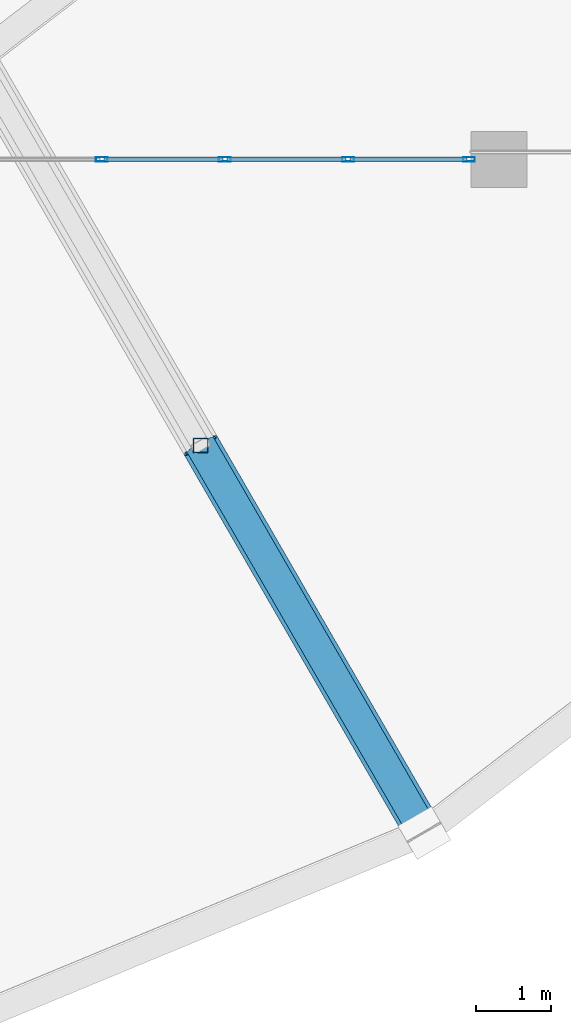
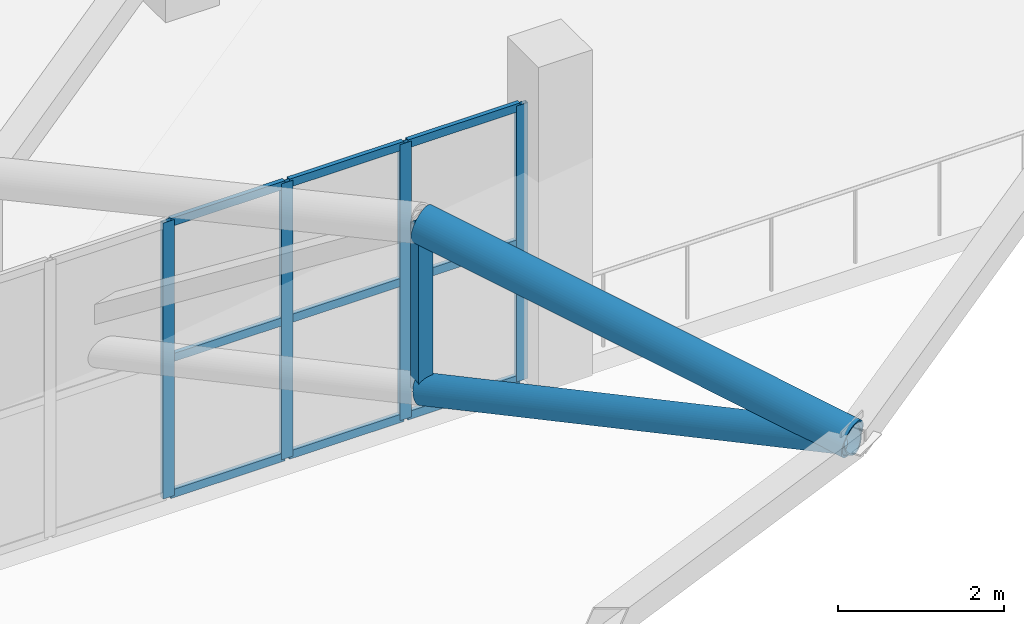
# One storey, part 34 of 167: 16 members, 1 element without a shape of its own.
"""IFC4 building model written with IfcOpenShell, lengths in metres."""

from ifc_helpers import new_model, si_unit, direction, frame, origin, origin_2d, place, context, subcontext, project, spatial, hollow_rectangle, hollow_circle, extrude, material, layer, layer_set, material_profile, profile_set, type_object, element, aggregate, save


model = new_model("IFC4")

# Units and contexts
model_context = context("Model", 3, precision=1e-05, world=origin(), true_north=direction((0.0, 1.0)))
body_context = subcontext(model_context, "Body", "Model", "MODEL_VIEW")
ifc_project = project(units=[si_unit("LENGTHUNIT", "METRE"), si_unit("AREAUNIT", "SQUARE_METRE"), si_unit("VOLUMEUNIT", "CUBIC_METRE"), si_unit("PLANEANGLEUNIT", "RADIAN"), si_unit("MASSUNIT", "GRAM", prefix="KILO")], contexts=[model_context])

# Site, building, storey
site_placement = place(None, origin())
site = spatial("IfcSite", under=ifc_project, at=site_placement, CompositionType="ELEMENT")
building_placement = place(site_placement, origin())
building = spatial("IfcBuilding", under=site, at=building_placement, Name="Dornveld Trade and Exhibition Forum", CompositionType="ELEMENT")
storey_placement = place(building_placement, frame((0.0, 0.0, 16.800048828125)))
storey = spatial("IfcBuildingStorey", under=building, at=storey_placement, Name="L03", CompositionType="ELEMENT", Elevation=16.800048828125)

# Curtain wall, members
ifc_material_1 = material(Name="Dark-bronze anodised aluminium and low-E glass", Category="aluminium")
ifc_layer = layer(ifc_material_1, 0.15087890625)
ifc_layer_set = layer_set([ifc_layer], Name="Dark-bronze anodised aluminium and low-E glass")
curtain_wall_type = type_object("IfcCurtainWallType", Name="CW-SYS-03", PredefinedType="USERDEFINED", material=ifc_layer_set)
curtain_wall_placement = place(storey_placement, origin())
curtain_wall = element("IfcCurtainWall", 1, at=curtain_wall_placement, inside=storey, type_object=curtain_wall_type, Name="L03 unitised curtain wall 57", ObjectType="UNITISED_CURTAIN_WALL", PredefinedType="USERDEFINED")
ifc_material_2 = material(Name="Dark-bronze anodised aluminium", Category="aluminium")
ifc_material_profile_1 = material_profile(ifc_material_2, hollow_rectangle(XDim=0.06005859375, YDim=0.159912109375, WallThickness=0.00390625, at=origin_2d()), Name="RHS 160x60x4")
ifc_profile_set_1 = profile_set([ifc_material_profile_1], Name="Dark-bronze anodised aluminium")
member_type_1 = type_object("IfcMemberType", Name="CW-MUL-160", PredefinedType="MULLION", material=ifc_profile_set_1)
member_1_placement = place(storey_placement, frame((138.67431640625, 45.0, -0.004150390625), z_axis=(0.0, 0.0, 1.0), x_axis=(0.0, 1.0, 0.0)))
member_1 = element("IfcMember", 2, at=member_1_placement, type_object=member_type_1, Name="CW-03 mullion 3", PredefinedType="MULLION", context=body_context, shape_type="SweptSolid", body=[
    extrude(hollow_rectangle(XDim=0.06005859375, YDim=0.159912109375, WallThickness=0.00390625, at=origin_2d()), origin(), (0.0, 0.0, 1.0), 4.064208984375),
])
member_2_placement = place(storey_placement, frame((140.32568359375, 45.0, -0.004150390625), z_axis=(0.0, 0.0, 1.0), x_axis=(0.0, 1.0, 0.0)))
member_2 = element("IfcMember", 3, at=member_2_placement, type_object=member_type_1, Name="CW-03 mullion 4", PredefinedType="MULLION", context=body_context, shape_type="SweptSolid", body=[
    extrude(hollow_rectangle(XDim=0.06005859375, YDim=0.159912109375, WallThickness=0.00390625, at=origin_2d()), origin(), (0.0, 0.0, 1.0), 4.064208984375),
])
member_3_placement = place(storey_placement, frame((141.977294921875, 45.0, -0.004150390625), z_axis=(0.0, 0.0, 1.0), x_axis=(0.0, 1.0, 0.0)))
member_3 = element("IfcMember", 4, at=member_3_placement, type_object=member_type_1, Name="CW-03 mullion 5", PredefinedType="MULLION", context=body_context, shape_type="SweptSolid", body=[
    extrude(hollow_rectangle(XDim=0.06005859375, YDim=0.159912109375, WallThickness=0.00390625, at=origin_2d()), origin(), (0.0, 0.0, 1.0), 4.064208984375),
])
member_4_placement = place(storey_placement, frame((143.59912109375, 45.0, -0.004150390625), z_axis=(0.0, 0.0, 1.0), x_axis=(0.0, 1.0, 0.0)))
member_4 = element("IfcMember", 5, at=member_4_placement, type_object=member_type_1, Name="CW-03 mullion 6", PredefinedType="MULLION", context=body_context, shape_type="SweptSolid", body=[
    extrude(hollow_rectangle(XDim=0.06005859375, YDim=0.159912109375, WallThickness=0.00390625, at=origin_2d()), origin(), (0.0, 0.0, 1.0), 4.064208984375),
])
ifc_material_3 = material(Name="Dark-bronze anodised aluminium", Category="aluminium")
ifc_material_profile_2 = material_profile(ifc_material_3, hollow_rectangle(XDim=0.06005859375, YDim=0.1201171875, WallThickness=0.00390625, at=origin_2d()), Name="RHS 120x60x4")
ifc_profile_set_2 = profile_set([ifc_material_profile_2], Name="Dark-bronze anodised aluminium")
member_type_2 = type_object("IfcMemberType", Name="CW-TRN-120", PredefinedType="USERDEFINED", material=ifc_profile_set_2)
member_5_placement = place(storey_placement, frame((138.7041015625, 45.0, 0.02587890625), z_axis=(1.0, 0.0, 0.0), x_axis=(0.0, 1.0, 0.0)))
member_5 = element("IfcMember", 6, at=member_5_placement, type_object=member_type_2, Name="CW-03 transom 3.1", ObjectType="TRANSOM", PredefinedType="USERDEFINED", context=body_context, shape_type="SweptSolid", body=[
    extrude(hollow_rectangle(XDim=0.06005859375, YDim=0.1201171875, WallThickness=0.00390625, at=origin_2d()), origin(), (0.0, 0.0, 1.0), 1.591796875),
])
member_6_placement = place(storey_placement, frame((138.7041015625, 45.0, 2.02783203125), z_axis=(1.0, 0.0, 0.0), x_axis=(0.0, 1.0, 0.0)))
member_6 = element("IfcMember", 7, at=member_6_placement, type_object=member_type_2, Name="CW-03 transom 3.2", ObjectType="TRANSOM", PredefinedType="USERDEFINED", context=body_context, shape_type="SweptSolid", body=[
    extrude(hollow_rectangle(XDim=0.06005859375, YDim=0.1201171875, WallThickness=0.00390625, at=origin_2d()), origin(), (0.0, 0.0, 1.0), 1.591796875),
])
member_7_placement = place(storey_placement, frame((138.7041015625, 45.0, 4.030029296875), z_axis=(1.0, 0.0, 0.0), x_axis=(0.0, 1.0, 0.0)))
member_7 = element("IfcMember", 8, at=member_7_placement, type_object=member_type_2, Name="CW-03 transom 3.3", ObjectType="TRANSOM", PredefinedType="USERDEFINED", context=body_context, shape_type="SweptSolid", body=[
    extrude(hollow_rectangle(XDim=0.06005859375, YDim=0.1201171875, WallThickness=0.00390625, at=origin_2d()), origin(), (0.0, 0.0, 1.0), 1.591796875),
])
member_8_placement = place(storey_placement, frame((140.355712890625, 45.0, 0.02587890625), z_axis=(1.0, 0.0, 0.0), x_axis=(0.0, 1.0, 0.0)))
member_8 = element("IfcMember", 9, at=member_8_placement, type_object=member_type_2, Name="CW-03 transom 4.1", ObjectType="TRANSOM", PredefinedType="USERDEFINED", context=body_context, shape_type="SweptSolid", body=[
    extrude(hollow_rectangle(XDim=0.06005859375, YDim=0.1201171875, WallThickness=0.00390625, at=origin_2d()), origin(), (0.0, 0.0, 1.0), 1.591796875),
])
member_9_placement = place(storey_placement, frame((140.355712890625, 45.0, 2.02783203125), z_axis=(1.0, 0.0, 0.0), x_axis=(0.0, 1.0, 0.0)))
member_9 = element("IfcMember", 10, at=member_9_placement, type_object=member_type_2, Name="CW-03 transom 4.2", ObjectType="TRANSOM", PredefinedType="USERDEFINED", context=body_context, shape_type="SweptSolid", body=[
    extrude(hollow_rectangle(XDim=0.06005859375, YDim=0.1201171875, WallThickness=0.00390625, at=origin_2d()), origin(), (0.0, 0.0, 1.0), 1.591796875),
])
member_10_placement = place(storey_placement, frame((140.355712890625, 45.0, 4.030029296875), z_axis=(1.0, 0.0, 0.0), x_axis=(0.0, 1.0, 0.0)))
member_10 = element("IfcMember", 11, at=member_10_placement, type_object=member_type_2, Name="CW-03 transom 4.3", ObjectType="TRANSOM", PredefinedType="USERDEFINED", context=body_context, shape_type="SweptSolid", body=[
    extrude(hollow_rectangle(XDim=0.06005859375, YDim=0.1201171875, WallThickness=0.00390625, at=origin_2d()), origin(), (0.0, 0.0, 1.0), 1.591796875),
])
member_11_placement = place(storey_placement, frame((142.00732421875, 45.0, 0.02587890625), z_axis=(1.0, 0.0, 0.0), x_axis=(0.0, 1.0, 0.0)))
member_11 = element("IfcMember", 12, at=member_11_placement, type_object=member_type_2, Name="CW-03 transom 5.1", ObjectType="TRANSOM", PredefinedType="USERDEFINED", context=body_context, shape_type="SweptSolid", body=[
    extrude(hollow_rectangle(XDim=0.06005859375, YDim=0.1201171875, WallThickness=0.00390625, at=origin_2d()), origin(), (0.0, 0.0, 1.0), 1.561767578125),
])
member_12_placement = place(storey_placement, frame((142.00732421875, 45.0, 2.02783203125), z_axis=(1.0, 0.0, 0.0), x_axis=(0.0, 1.0, 0.0)))
member_12 = element("IfcMember", 13, at=member_12_placement, type_object=member_type_2, Name="CW-03 transom 5.2", ObjectType="TRANSOM", PredefinedType="USERDEFINED", context=body_context, shape_type="SweptSolid", body=[
    extrude(hollow_rectangle(XDim=0.06005859375, YDim=0.1201171875, WallThickness=0.00390625, at=origin_2d()), origin(), (0.0, 0.0, 1.0), 1.561767578125),
])
member_13_placement = place(storey_placement, frame((142.00732421875, 45.0, 4.030029296875), z_axis=(1.0, 0.0, 0.0), x_axis=(0.0, 1.0, 0.0)))
member_13 = element("IfcMember", 14, at=member_13_placement, type_object=member_type_2, Name="CW-03 transom 5.3", ObjectType="TRANSOM", PredefinedType="USERDEFINED", context=body_context, shape_type="SweptSolid", body=[
    extrude(hollow_rectangle(XDim=0.06005859375, YDim=0.1201171875, WallThickness=0.00390625, at=origin_2d()), origin(), (0.0, 0.0, 1.0), 1.561767578125),
])
aggregate(curtain_wall, [member_1, member_2, member_3, member_4, member_5, member_6, member_7, member_8, member_9, member_10, member_11, member_12, member_13])

# Members
ifc_material_4 = material(Name="Steel S355J2", Category="steel")
ifc_material_profile_3 = material_profile(ifc_material_4, hollow_circle(Radius=0.203125, WallThickness=0.02001953125, at=origin_2d()), Name="CHS 406.4x20")
ifc_profile_set_3 = profile_set([ifc_material_profile_3], Name="Steel S355J2")
member_type_3 = type_object("IfcMemberType", Name="MEM-DISC-BC", PredefinedType="CHORD", material=ifc_profile_set_3)
member_14_placement = place(storey_placement, frame((140.0, 41.162841796875, 3.437744140625), z_axis=(0.487596998988, -0.844525303504, 0.221418559111), x_axis=(0.866020924479, 0.500007758305, 0.0)))
element("IfcMember", 15, at=member_14_placement, inside=storey, type_object=member_type_3, Name="Roof disc radial R21 conical bottom chord 4", PredefinedType="CHORD", context=body_context, shape_type="SweptSolid", body=[
    extrude(hollow_circle(Radius=0.203125, WallThickness=0.02001953125, at=origin_2d()), origin(), (0.0, 0.0, 1.0), 6.152587890625),
])
ifc_material_5 = material(Name="Steel S355J2", Category="steel")
ifc_material_profile_4 = material_profile(ifc_material_5, hollow_rectangle(XDim=0.199951171875, YDim=0.199951171875, WallThickness=0.010009765625, at=origin_2d()), Name="SHS 200x200x10")
ifc_profile_set_4 = profile_set([ifc_material_profile_4], Name="Steel S355J2")
member_type_4 = type_object("IfcMemberType", Name="MEM-DISC-STR", PredefinedType="STRUT", material=ifc_profile_set_4)
member_15_placement = place(storey_placement, frame((140.0, 41.162841796875, 3.437744140625), z_axis=(0.0, 0.0, 1.0), x_axis=(1.0, 0.0, 0.0)))
element("IfcMember", 16, at=member_15_placement, inside=storey, type_object=member_type_4, Name="Roof disc radial R21 strut 4", PredefinedType="STRUT", context=body_context, shape_type="SweptSolid", body=[
    extrude(hollow_rectangle(XDim=0.199951171875, YDim=0.199951171875, WallThickness=0.010009765625, at=origin_2d()), origin(), (0.0, 0.0, 1.0), 2.437255859375),
])
ifc_material_6 = material(Name="Steel S355J2", Category="steel")
ifc_material_profile_5 = material_profile(ifc_material_6, hollow_circle(Radius=0.25390625, WallThickness=0.02490234375, at=origin_2d()), Name="CHS 508x25")
ifc_profile_set_5 = profile_set([ifc_material_profile_5], Name="Steel S355J2")
member_type_5 = type_object("IfcMemberType", Name="MEM-DISC-TC", PredefinedType="CHORD", material=ifc_profile_set_5)
member_16_placement = place(storey_placement, frame((140.0, 41.162841796875, 5.875), z_axis=(0.492171103715, -0.852447721385, -0.176353301567), x_axis=(0.866020924479, 0.500007758305, 0.0)))
element("IfcMember", 17, at=member_16_placement, inside=storey, type_object=member_type_5, Name="Roof disc radial R21 top chord 4", PredefinedType="CHORD", context=body_context, shape_type="SweptSolid", body=[
    extrude(hollow_circle(Radius=0.25390625, WallThickness=0.02490234375, at=origin_2d()), origin(), (0.0, 0.0, 1.0), 6.095458984375),
])

save(model, "model.ifc")
